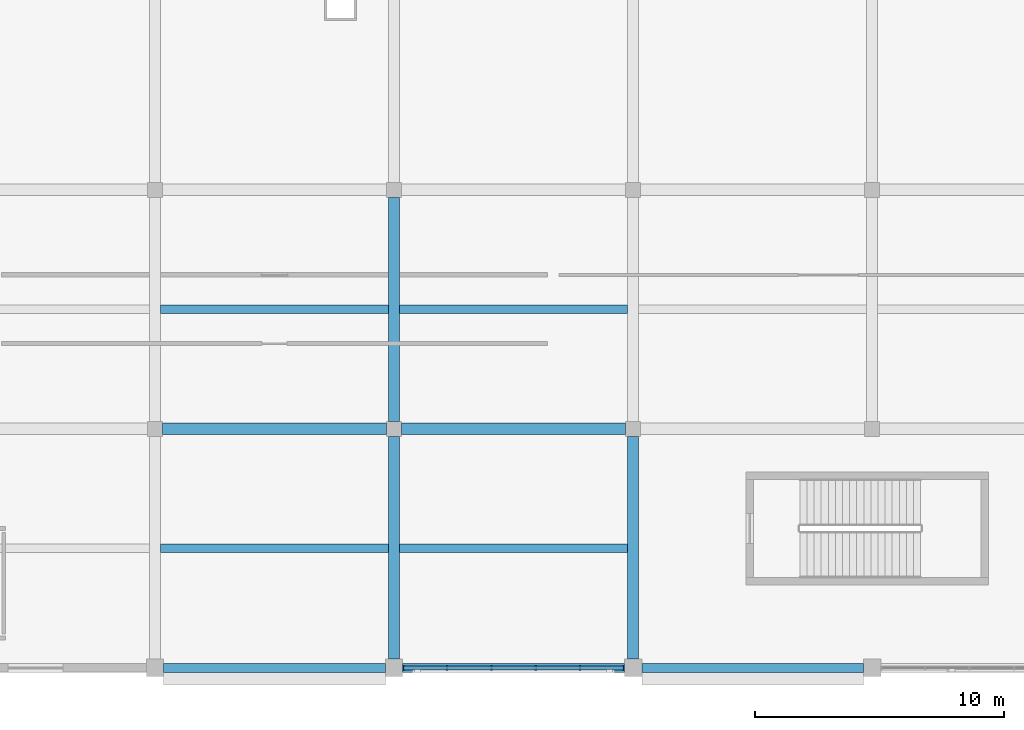
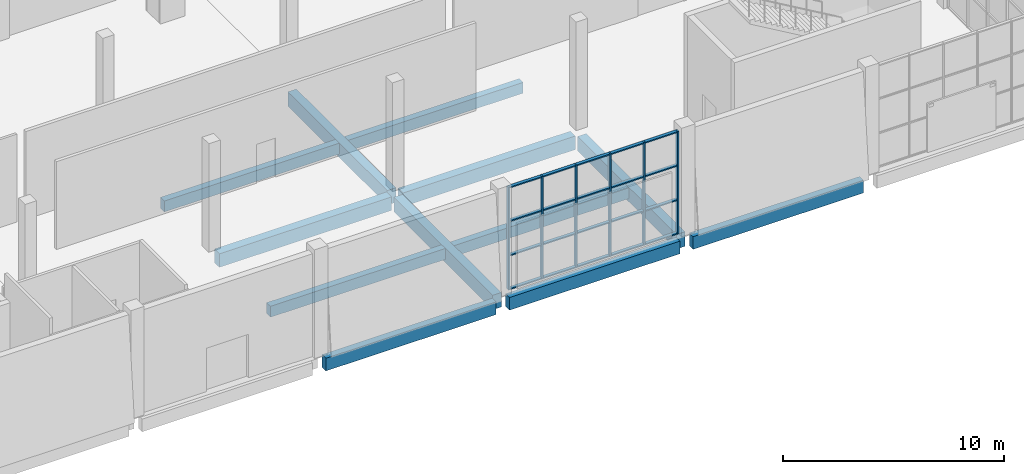
# One storey, part 5 of 84: 12 beams, 10 members, 1 element without a shape of its own.
"""IFC4 building model written with IfcOpenShell, lengths in metres."""

from ifc_helpers import new_model, si_unit, direction, frame, origin, origin_2d, place, context, subcontext, project, spatial, rectangle, extrude, material, material_profile, profile_set, type_object, element, aggregate, save


model = new_model("IFC4")

# Units and contexts
model_context = context("Model", 3, precision=1e-05, world=origin(), true_north=direction((0.0, 1.0)))
body_context = subcontext(model_context, "Body", "Model", "MODEL_VIEW")
ifc_project = project(units=[si_unit("LENGTHUNIT", "METRE"), si_unit("AREAUNIT", "SQUARE_METRE"), si_unit("VOLUMEUNIT", "CUBIC_METRE"), si_unit("PLANEANGLEUNIT", "RADIAN"), si_unit("MASSUNIT", "GRAM", prefix="KILO")], contexts=[model_context])

# Site, building, storey
site_placement = place(None, origin())
site = spatial("IfcSite", under=ifc_project, at=site_placement, CompositionType="ELEMENT")
building_placement = place(site_placement, origin())
building = spatial("IfcBuilding", under=site, at=building_placement, Name="Shalvenor Court Art Gallery", CompositionType="ELEMENT")
storey_placement = place(building_placement, origin())
storey = spatial("IfcBuildingStorey", under=building, at=storey_placement, Name="L00", CompositionType="ELEMENT", Elevation=0.0)

# Beams
ifc_material_1 = material(Name="Concrete C40/50", Category="concrete")
ifc_material_profile_1 = material_profile(ifc_material_1, rectangle(XDim=0.449951171875, YDim=0.800048828125, at=origin_2d()), Name="RC 450x800")
ifc_profile_set_1 = profile_set([ifc_material_profile_1], Name="Concrete C40/50")
beam_type_1 = type_object("IfcBeamType", Name="B-03", PredefinedType="BEAM", material=ifc_profile_set_1)
beam_1_placement = place(storey_placement, frame((38.39990234375, 0.35009765625, -0.739990234375), z_axis=(0.0, 1.0, 0.0), x_axis=(-1.0, 0.0, 0.0)))
element("IfcBeam", 1, at=beam_1_placement, inside=storey, type_object=beam_type_1, Name="L00 Girder BM-L00-B-03-0032", PredefinedType="BEAM", context=body_context, shape_type="SweptSolid", body=[
    extrude(rectangle(XDim=0.449951171875, YDim=0.800048828125, at=origin_2d()), origin(), (0.0, 0.0, 1.0), 8.949951171875),
])
beam_2_placement = place(storey_placement, frame((38.39990234375, 9.89990234375, -0.739990234375), z_axis=(0.0, 1.0, 0.0), x_axis=(-1.0, 0.0, 0.0)))
element("IfcBeam", 2, at=beam_2_placement, inside=storey, type_object=beam_type_1, Name="L00 Girder BM-L00-B-03-0033", PredefinedType="BEAM", context=body_context, shape_type="SweptSolid", body=[
    extrude(rectangle(XDim=0.449951171875, YDim=0.800048828125, at=origin_2d()), origin(), (0.0, 0.0, 1.0), 9.0),
])
beam_3_placement = place(storey_placement, frame((48.0, 0.35009765625, -0.739990234375), z_axis=(0.0, 1.0, 0.0), x_axis=(-1.0, 0.0, 0.0)))
element("IfcBeam", 3, at=beam_3_placement, inside=storey, type_object=beam_type_1, Name="L00 Girder BM-L00-B-03-0041", PredefinedType="BEAM", context=body_context, shape_type="SweptSolid", body=[
    extrude(rectangle(XDim=0.449951171875, YDim=0.800048828125, at=origin_2d()), origin(), (0.0, 0.0, 1.0), 8.949951171875),
])
ifc_material_2 = material(Name="Concrete C40/50", Category="concrete")
ifc_material_profile_2 = material_profile(ifc_material_2, rectangle(XDim=0.449951171875, YDim=0.75, at=origin_2d()), Name="RC 450x750")
ifc_profile_set_2 = profile_set([ifc_material_profile_2], Name="Concrete C40/50")
beam_type_2 = type_object("IfcBeamType", Name="B-04", PredefinedType="BEAM", material=ifc_profile_set_2)
for number, where, z_axis, x_axis, name in (
    (4, (29.10009765625, 9.60009765625, -0.715087890625), (1.0, 0.0, 0.0), (0.0, 1.0, 0.0), "L00 Girder BM-L00-B-04-0152"),
    (5, (38.699951171875, 9.60009765625, -0.715087890625), (1.0, 0.0, 0.0), (0.0, 1.0, 0.0), "L00 Girder BM-L00-B-04-0153"),
):
    element("IfcBeam", number, at=place(storey_placement, frame(where, z_axis=z_axis, x_axis=x_axis)), inside=storey, type_object=beam_type_2, Name=name, PredefinedType="BEAM", context=body_context, shape_type="SweptSolid", body=[
        extrude(rectangle(XDim=0.449951171875, YDim=0.75, at=origin_2d()), origin(), (0.0, 0.0, 1.0), 9.0),
    ])

# Curtain wall, members
ifc_material_3 = material(Name="Anodised aluminium and low-iron glass curtain wall", Category="aluminium")
curtain_wall_type = type_object("IfcCurtainWallType", Name="CW-5x3-89-57-121", PredefinedType="USERDEFINED", material=ifc_material_3)
curtain_wall_placement = place(storey_placement, origin())
curtain_wall = element("IfcCurtainWall", 6, at=curtain_wall_placement, inside=storey, type_object=curtain_wall_type, Name="L00 V4 Curtain Wall CW-L00-124", ObjectType="CURTAIN WALL", PredefinedType="USERDEFINED")
ifc_material_4 = material(Name="Anodised aluminium mullion", Category="aluminium")
ifc_material_profile_3 = material_profile(ifc_material_4, rectangle(XDim=0.06494140625, YDim=0.179931640625, at=origin_2d()), Name="CWM-01")
ifc_profile_set_3 = profile_set([ifc_material_profile_3], Name="Anodised aluminium mullion")
member_type_1 = type_object("IfcMemberType", Name="CWM-01", PredefinedType="MULLION", material=ifc_profile_set_3)
member_1_placement = place(storey_placement, frame((47.617431640625, 0.0, 0.0), z_axis=(0.0, 0.0, 1.0), x_axis=(-1.0, 0.0, 0.0)))
member_1 = element("IfcMember", 7, at=member_1_placement, type_object=member_type_1, Name="CW-5x3-89-57-121 mullion 1", PredefinedType="MULLION", context=body_context, shape_type="SweptSolid", body=[
    extrude(rectangle(XDim=0.06494140625, YDim=0.179931640625, at=origin_2d()), origin(), (0.0, 0.0, 1.0), 5.679931640625),
])
member_2_placement = place(storey_placement, frame((45.8701171875, 0.0, 0.0), z_axis=(0.0, 0.0, 1.0), x_axis=(-1.0, 0.0, 0.0)))
member_2 = element("IfcMember", 8, at=member_2_placement, type_object=member_type_1, Name="CW-5x3-89-57-121 mullion 2", PredefinedType="MULLION", context=body_context, shape_type="SweptSolid", body=[
    extrude(rectangle(XDim=0.06494140625, YDim=0.179931640625, at=origin_2d()), origin(), (0.0, 0.0, 1.0), 5.679931640625),
])
member_3_placement = place(storey_placement, frame((44.090087890625, 0.0, 0.0), z_axis=(0.0, 0.0, 1.0), x_axis=(-1.0, 0.0, 0.0)))
member_3 = element("IfcMember", 9, at=member_3_placement, type_object=member_type_1, Name="CW-5x3-89-57-121 mullion 3", PredefinedType="MULLION", context=body_context, shape_type="SweptSolid", body=[
    extrude(rectangle(XDim=0.06494140625, YDim=0.179931640625, at=origin_2d()), origin(), (0.0, 0.0, 1.0), 5.679931640625),
])
member_4_placement = place(storey_placement, frame((42.31005859375, 0.0, 0.0), z_axis=(0.0, 0.0, 1.0), x_axis=(-1.0, 0.0, 0.0)))
member_4 = element("IfcMember", 10, at=member_4_placement, type_object=member_type_1, Name="CW-5x3-89-57-121 mullion 4", PredefinedType="MULLION", context=body_context, shape_type="SweptSolid", body=[
    extrude(rectangle(XDim=0.06494140625, YDim=0.179931640625, at=origin_2d()), origin(), (0.0, 0.0, 1.0), 5.679931640625),
])
member_5_placement = place(storey_placement, frame((40.530029296875, 0.0, 0.0), z_axis=(0.0, 0.0, 1.0), x_axis=(-1.0, 0.0, 0.0)))
member_5 = element("IfcMember", 11, at=member_5_placement, type_object=member_type_1, Name="CW-5x3-89-57-121 mullion 5", PredefinedType="MULLION", context=body_context, shape_type="SweptSolid", body=[
    extrude(rectangle(XDim=0.06494140625, YDim=0.179931640625, at=origin_2d()), origin(), (0.0, 0.0, 1.0), 5.679931640625),
])
member_6_placement = place(storey_placement, frame((38.782470703125, 0.0, 0.0), z_axis=(0.0, 0.0, 1.0), x_axis=(-1.0, 0.0, 0.0)))
member_6 = element("IfcMember", 12, at=member_6_placement, type_object=member_type_1, Name="CW-5x3-89-57-121 mullion 6", PredefinedType="MULLION", context=body_context, shape_type="SweptSolid", body=[
    extrude(rectangle(XDim=0.06494140625, YDim=0.179931640625, at=origin_2d()), origin(), (0.0, 0.0, 1.0), 5.679931640625),
])
ifc_material_5 = material(Name="Anodised aluminium transom", Category="aluminium")
ifc_material_profile_4 = material_profile(ifc_material_5, rectangle(XDim=0.169921875, YDim=0.06494140625, at=origin_2d()), Name="CWT-02")
ifc_profile_set_4 = profile_set([ifc_material_profile_4], Name="Anodised aluminium transom")
member_type_2 = type_object("IfcMemberType", Name="CWT-02", PredefinedType="USERDEFINED", material=ifc_profile_set_4)
member_7_placement = place(storey_placement, frame((47.617431640625, 0.0, 0.032470703125), z_axis=(-1.0, 0.0, 0.0), x_axis=(0.0, -1.0, 0.0)))
member_7 = element("IfcMember", 13, at=member_7_placement, type_object=member_type_2, Name="CW-5x3-89-57-121 transom 1", ObjectType="TRANSOM", PredefinedType="USERDEFINED", context=body_context, shape_type="SweptSolid", body=[
    extrude(rectangle(XDim=0.169921875, YDim=0.06494140625, at=origin_2d()), origin(), (0.0, 0.0, 1.0), 8.8349609375),
])
member_8_placement = place(storey_placement, frame((47.617431640625, 0.0, 1.893310546875), z_axis=(-1.0, 0.0, 0.0), x_axis=(0.0, -1.0, 0.0)))
member_8 = element("IfcMember", 14, at=member_8_placement, type_object=member_type_2, Name="CW-5x3-89-57-121 transom 2", ObjectType="TRANSOM", PredefinedType="USERDEFINED", context=body_context, shape_type="SweptSolid", body=[
    extrude(rectangle(XDim=0.169921875, YDim=0.06494140625, at=origin_2d()), origin(), (0.0, 0.0, 1.0), 8.8349609375),
])
member_9_placement = place(storey_placement, frame((47.617431640625, 0.0, 3.78662109375), z_axis=(-1.0, 0.0, 0.0), x_axis=(0.0, -1.0, 0.0)))
member_9 = element("IfcMember", 15, at=member_9_placement, type_object=member_type_2, Name="CW-5x3-89-57-121 transom 3", ObjectType="TRANSOM", PredefinedType="USERDEFINED", context=body_context, shape_type="SweptSolid", body=[
    extrude(rectangle(XDim=0.169921875, YDim=0.06494140625, at=origin_2d()), origin(), (0.0, 0.0, 1.0), 8.8349609375),
])
member_10_placement = place(storey_placement, frame((47.617431640625, 0.0, 5.6474609375), z_axis=(-1.0, 0.0, 0.0), x_axis=(0.0, -1.0, 0.0)))
member_10 = element("IfcMember", 16, at=member_10_placement, type_object=member_type_2, Name="CW-5x3-89-57-121 transom 4", ObjectType="TRANSOM", PredefinedType="USERDEFINED", context=body_context, shape_type="SweptSolid", body=[
    extrude(rectangle(XDim=0.169921875, YDim=0.06494140625, at=origin_2d()), origin(), (0.0, 0.0, 1.0), 8.8349609375),
])
aggregate(curtain_wall, [member_1, member_2, member_3, member_4, member_5, member_6, member_7, member_8, member_9, member_10])

# Beams
ifc_material_6 = material(Name="Concrete C40/50", Category="concrete")
ifc_material_profile_5 = material_profile(ifc_material_6, rectangle(XDim=0.35009765625, YDim=0.60009765625, at=origin_2d()), Name="RC 350x600")
ifc_profile_set_5 = profile_set([ifc_material_profile_5], Name="Concrete C40/50")
beam_type_3 = type_object("IfcBeamType", Name="J-01", PredefinedType="JOIST", material=ifc_profile_set_5)
for number, where, z_axis, x_axis, name in (
    (17, (29.02490234375, 4.800048828125, -0.639892578125), (1.0, 0.0, 0.0), (0.0, 1.0, 0.0), "L00 Secondary Beam JST-L00-J-01-0294"),
    (18, (29.02490234375, 14.39990234375, -0.639892578125), (1.0, 0.0, 0.0), (0.0, 1.0, 0.0), "L00 Secondary Beam JST-L00-J-01-0295"),
):
    element("IfcBeam", number, at=place(storey_placement, frame(where, z_axis=z_axis, x_axis=x_axis)), inside=storey, type_object=beam_type_3, Name=name, PredefinedType="JOIST", context=body_context, shape_type="SweptSolid", body=[
        extrude(rectangle(XDim=0.35009765625, YDim=0.60009765625, at=origin_2d()), origin(), (0.0, 0.0, 1.0), 9.150146484375),
    ])
for number, where, z_axis, x_axis, name in (
    (19, (38.625, 4.800048828125, -0.639892578125), (1.0, 0.0, 0.0), (0.0, 1.0, 0.0), "L00 Secondary Beam JST-L00-J-01-0302"),
    (20, (38.625, 14.39990234375, -0.639892578125), (1.0, 0.0, 0.0), (0.0, 1.0, 0.0), "L00 Secondary Beam JST-L00-J-01-0303"),
):
    element("IfcBeam", number, at=place(storey_placement, frame(where, z_axis=z_axis, x_axis=x_axis)), inside=storey, type_object=beam_type_3, Name=name, PredefinedType="JOIST", context=body_context, shape_type="SweptSolid", body=[
        extrude(rectangle(XDim=0.35009765625, YDim=0.60009765625, at=origin_2d()), origin(), (0.0, 0.0, 1.0), 9.14990234375),
    ])
ifc_material_7 = material(Name="Concrete C40/50", Category="concrete")
ifc_material_profile_6 = material_profile(ifc_material_7, rectangle(XDim=0.35009765625, YDim=0.699951171875, at=origin_2d()), Name="RC 350x700")
ifc_profile_set_6 = profile_set([ifc_material_profile_6], Name="Concrete C40/50")
beam_type_4 = type_object("IfcBeamType", Name="SP-01", PredefinedType="SPANDREL", material=ifc_profile_set_6)
beam_4_placement = place(storey_placement, frame((29.14990234375, 0.0, -0.68994140625), z_axis=(1.0, 0.0, 0.0), x_axis=(0.0, 1.0, 0.0)))
element("IfcBeam", 21, at=beam_4_placement, inside=storey, type_object=beam_type_4, Name="L00 Spandrel Girder BM-L00-SP-01-0142", PredefinedType="SPANDREL", context=body_context, shape_type="SweptSolid", body=[
    extrude(rectangle(XDim=0.35009765625, YDim=0.699951171875, at=origin_2d()), origin(), (0.0, 0.0, 1.0), 8.900146484375),
])
for number, where, z_axis, x_axis, name in (
    (22, (38.75, 0.0, -0.68994140625), (1.0, 0.0, 0.0), (0.0, 1.0, 0.0), "L00 Spandrel Girder BM-L00-SP-01-0143"),
    (23, (48.35009765625, 0.0, -0.68994140625), (1.0, 0.0, 0.0), (0.0, 1.0, 0.0), "L00 Spandrel Girder BM-L00-SP-01-0144"),
):
    element("IfcBeam", number, at=place(storey_placement, frame(where, z_axis=z_axis, x_axis=x_axis)), inside=storey, type_object=beam_type_4, Name=name, PredefinedType="SPANDREL", context=body_context, shape_type="SweptSolid", body=[
        extrude(rectangle(XDim=0.35009765625, YDim=0.699951171875, at=origin_2d()), origin(), (0.0, 0.0, 1.0), 8.89990234375),
    ])

save(model, "model.ifc")
